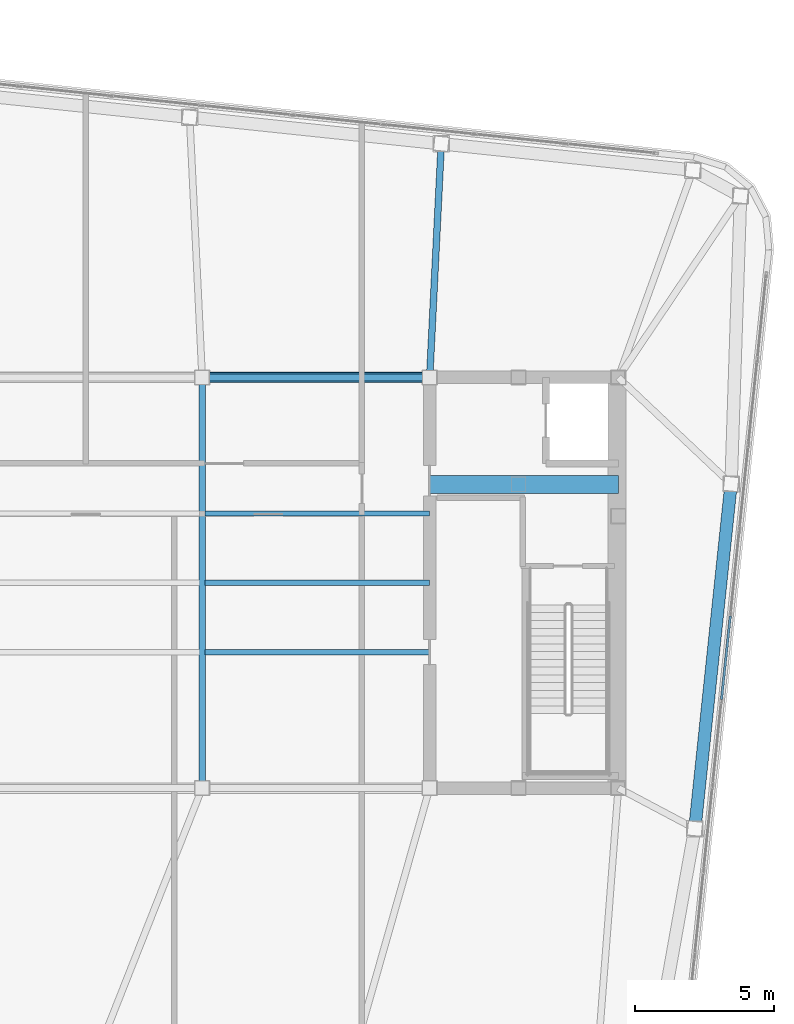
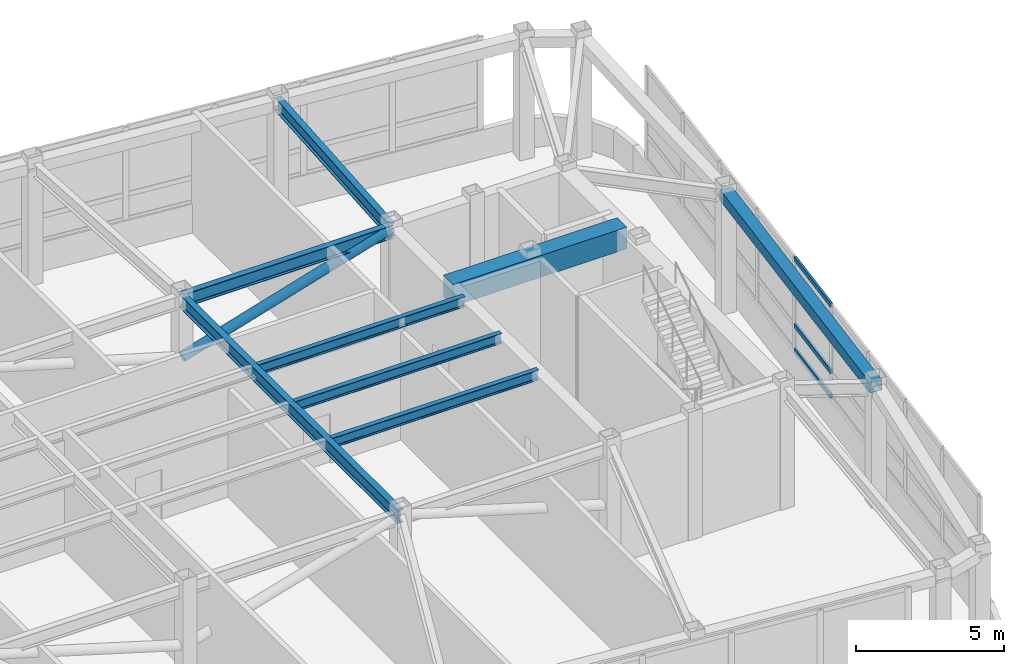
# One storey, part 12 of 23: 8 beams, 4 members, 1 element without a shape of its own.
"""IFC4 building model written with IfcOpenShell, lengths in metres."""

from ifc_helpers import new_model, si_unit, direction, frame, origin, origin_2d, place, context, subcontext, project, spatial, rectangle, hollow_rectangle, hollow_circle, i_section, extrude, material, layer, layer_set, material_profile, profile_set, type_object, element, aggregate, save


model = new_model("IFC4")

# Units and contexts
model_context = context("Model", 3, precision=1e-05, world=origin(), true_north=direction((0.0, 1.0)))
body_context = subcontext(model_context, "Body", "Model", "MODEL_VIEW")
ifc_project = project(units=[si_unit("LENGTHUNIT", "METRE"), si_unit("AREAUNIT", "SQUARE_METRE"), si_unit("VOLUMEUNIT", "CUBIC_METRE"), si_unit("PLANEANGLEUNIT", "RADIAN"), si_unit("MASSUNIT", "GRAM", prefix="KILO")], contexts=[model_context])

# Site, building, storey
site_placement = place(None, origin())
site = spatial("IfcSite", under=ifc_project, at=site_placement, CompositionType="ELEMENT")
building_placement = place(site_placement, origin())
building = spatial("IfcBuilding", under=site, at=building_placement, Name="Voryun Gate Residences", CompositionType="ELEMENT")
storey_placement = place(building_placement, frame((0.0, 0.0, 331.89990234375)))
storey = spatial("IfcBuildingStorey", under=building, at=storey_placement, Name="L81", CompositionType="ELEMENT", Elevation=331.89990234375)

# Beams
ifc_material_1 = material(Name="Concrete C60/75", Category="concrete")
ifc_material_profile_1 = material_profile(ifc_material_1, rectangle(XDim=0.64990234375, YDim=0.89990234375, at=origin_2d()), Name="RC-650x900")
ifc_profile_set_1 = profile_set([ifc_material_profile_1], Name="Concrete C60/75")
beam_type_1 = type_object("IfcBeamType", Name="BM_COUP_RC900", PredefinedType="LINTEL", material=ifc_profile_set_1)
beam_1_placement = place(storey_placement, frame((12.39990234375, 3.550048828125, 4.5751953125), z_axis=(1.0, 0.0, 0.0), x_axis=(0.0, 1.0, 0.0)))
element("IfcBeam", 1, at=beam_1_placement, inside=storey, type_object=beam_type_1, Name="BM-L81-EC1", PredefinedType="LINTEL", context=body_context, shape_type="SweptSolid", body=[
    extrude(rectangle(XDim=0.64990234375, YDim=0.89990234375, at=origin_2d()), origin(), (0.0, 0.0, 1.0), 6.800048828125),
])
ifc_material_2 = material(Name="Steel SM355", Category="steel")
ifc_material_profile_2 = material_profile(ifc_material_2, hollow_rectangle(XDim=0.449951171875, YDim=0.449951171875, WallThickness=0.01806640625, at=origin_2d()), Name="BOX-450x450x18")
ifc_profile_set_2 = profile_set([ifc_material_profile_2], Name="Steel SM355")
beam_type_2 = type_object("IfcBeamType", Name="BM_CROWN_RING", PredefinedType="BEAM", material=ifc_profile_set_2)
beam_2_placement = place(storey_placement, frame((21.958251953125, -8.861572265625, 4.800048828125), z_axis=(0.104519973049, 0.99452278769, 0.0), x_axis=(-0.99452278769, 0.104519973049, 0.0)))
element("IfcBeam", 2, at=beam_2_placement, inside=storey, type_object=beam_type_2, Name="BM-L81-SPAND-08", PredefinedType="BEAM", context=body_context, shape_type="SweptSolid", body=[
    extrude(hollow_rectangle(XDim=0.449951171875, YDim=0.449951171875, WallThickness=0.01806640625, at=origin_2d()), origin(), (0.0, 0.0, 1.0), 12.491943359375),
])
ifc_material_3 = material(Name="Steel SM355", Category="steel")
ifc_material_profile_3 = material_profile(ifc_material_3, i_section(OverallWidth=0.239990234375, OverallDepth=0.550048828125, WebThickness=0.011962890625, FlangeThickness=0.02001953125, FilletRadius=0.01806640625, at=origin_2d()), Name="H-550x240x12x20")
ifc_profile_set_3 = profile_set([ifc_material_profile_3], Name="Steel SM355")
beam_type_3 = type_object("IfcBeamType", Name="BM_GIRD_550", PredefinedType="USERDEFINED", material=ifc_profile_set_3)
beam_3_placement = place(storey_placement, frame((4.199951171875, 7.39990234375, 4.75), z_axis=(1.0, 0.0, 0.0), x_axis=(0.0, 1.0, 0.0)))
element("IfcBeam", 3, at=beam_3_placement, inside=storey, type_object=beam_type_3, Name="BM-L81-SPG3-N", ObjectType="GIRDER", PredefinedType="USERDEFINED", context=body_context, shape_type="SweptSolid", body=[
    extrude(i_section(OverallWidth=0.239990234375, OverallDepth=0.550048828125, WebThickness=0.011962890625, FlangeThickness=0.02001953125, FilletRadius=0.01806640625, at=origin_2d()), origin(), (0.0, 0.0, 1.0), 8.199951171875),
])
beam_4_placement = place(storey_placement, frame((4.199951171875, -7.39990234375, 4.75), z_axis=(0.0, 1.0, 0.0), x_axis=(-1.0, 0.0, 0.0)))
element("IfcBeam", 4, at=beam_4_placement, inside=storey, type_object=beam_type_3, Name="BM-L81-SPX-E", ObjectType="GIRDER", PredefinedType="USERDEFINED", context=body_context, shape_type="SweptSolid", body=[
    extrude(i_section(OverallWidth=0.239990234375, OverallDepth=0.550048828125, WebThickness=0.011962890625, FlangeThickness=0.02001953125, FilletRadius=0.01806640625, at=origin_2d()), origin(), (0.0, 0.0, 1.0), 14.7998046875),
])
beam_5_placement = place(storey_placement, frame((12.39990234375, 7.39990234375, 4.75), z_axis=(0.049635922604, 0.998767377915, 0.0), x_axis=(-0.998767377915, 0.049635922604, 0.0)))
element("IfcBeam", 5, at=beam_5_placement, inside=storey, type_object=beam_type_3, Name="BM-L81-RAD-N2", ObjectType="GIRDER", PredefinedType="USERDEFINED", context=body_context, shape_type="SweptSolid", body=[
    extrude(i_section(OverallWidth=0.239990234375, OverallDepth=0.550048828125, WebThickness=0.011962890625, FlangeThickness=0.02001953125, FilletRadius=0.01806640625, at=origin_2d()), origin(), (0.0, 0.0, 1.0), 8.435546875),
])
ifc_material_4 = material(Name="Steel SM355", Category="steel")
ifc_material_profile_4 = material_profile(ifc_material_4, i_section(OverallWidth=0.18994140625, OverallDepth=0.419921875, WebThickness=0.009033203125, FlangeThickness=0.01611328125, FilletRadius=0.01806640625, at=origin_2d()), Name="H-420x190x9x16")
ifc_profile_set_4 = profile_set([ifc_material_profile_4], Name="Steel SM355")
beam_type_4 = type_object("IfcBeamType", Name="BM_SEC_420", PredefinedType="BEAM", material=ifc_profile_set_4)
for number, where, z_axis, x_axis, name in (
    (6, (4.300048828125, -2.5, 4.815185546875), (1.0, 0.0, 0.0), (0.0, 1.0, 0.0), "BM-L81-SEC-CS3"),
    (7, (4.300048828125, 0.0, 4.815185546875), (1.0, 0.0, 0.0), (0.0, 1.0, 0.0), "BM-L81-SEC-CM3"),
    (8, (4.300048828125, 2.5, 4.815185546875), (1.0, 0.0, 0.0), (0.0, 1.0, 0.0), "BM-L81-SEC-CN3"),
):
    element("IfcBeam", number, at=place(storey_placement, frame(where, z_axis=z_axis, x_axis=x_axis)), inside=storey, type_object=beam_type_4, Name=name, PredefinedType="BEAM", context=body_context, shape_type="SweptSolid", body=[
        extrude(i_section(OverallWidth=0.18994140625, OverallDepth=0.419921875, WebThickness=0.009033203125, FlangeThickness=0.01611328125, FilletRadius=0.01806640625, at=origin_2d()), origin(), (0.0, 0.0, 1.0), 8.099853515625),
    ])

# Curtain wall, members
ifc_material_5 = material(Name="Anodised aluminium", Category="aluminium")
ifc_layer = layer(ifc_material_5, 0.22998046875, Name="CW_SYS_LANTERN_DARK_GLASS")
ifc_layer_set = layer_set([ifc_layer], Name="Anodised aluminium")
curtain_wall_type = type_object("IfcCurtainWallType", Name="CW_SYS_LANTERN_DARK_GLASS", PredefinedType="NOTDEFINED", material=ifc_layer_set)
curtain_wall_placement = place(storey_placement, origin())
curtain_wall = element("IfcCurtainWall", 9, at=curtain_wall_placement, inside=storey, type_object=curtain_wall_type, Name="Curtain wall CW6-L81-16", PredefinedType="NOTDEFINED")
ifc_material_6 = material(Name="Anodised aluminium", Category="aluminium")
ifc_material_profile_5 = material_profile(ifc_material_6, hollow_rectangle(XDim=0.0849609375, YDim=0.18994140625, WallThickness=0.006103515625, at=origin_2d()), Name="ALU-TRAN-190x85x6")
ifc_profile_set_5 = profile_set([ifc_material_profile_5], Name="Anodised aluminium")
member_type_1 = type_object("IfcMemberType", Name="CW_TRAN_LANT", PredefinedType="USERDEFINED", material=ifc_profile_set_5)
member_1_placement = place(storey_placement, frame((23.23681640625, -1.193359375, 1.22021484375), z_axis=(-0.104500100479, -0.994524876009, 0.0), x_axis=(0.994524876009, -0.104500100479, 0.0)))
member_1 = element("IfcMember", 10, at=member_1_placement, type_object=member_type_1, Name="CW6 transom 5.1", ObjectType="TRANSOM", PredefinedType="USERDEFINED", context=body_context, shape_type="SweptSolid", body=[
    extrude(hollow_rectangle(XDim=0.0849609375, YDim=0.18994140625, WallThickness=0.006103515625, at=origin_2d()), origin(), (0.0, 0.0, 1.0), 3.02783203125),
])
member_2_placement = place(storey_placement, frame((23.23681640625, -1.193359375, 2.239990234375), z_axis=(-0.104500100479, -0.994524876009, 0.0), x_axis=(0.994524876009, -0.104500100479, 0.0)))
member_2 = element("IfcMember", 11, at=member_2_placement, type_object=member_type_1, Name="CW6 transom 5.2", ObjectType="TRANSOM", PredefinedType="USERDEFINED", context=body_context, shape_type="SweptSolid", body=[
    extrude(hollow_rectangle(XDim=0.0849609375, YDim=0.18994140625, WallThickness=0.006103515625, at=origin_2d()), origin(), (0.0, 0.0, 1.0), 3.02783203125),
])
member_3_placement = place(storey_placement, frame((23.23681640625, -1.193359375, 4.9951171875), z_axis=(-0.104500100479, -0.994524876009, 0.0), x_axis=(0.994524876009, -0.104500100479, 0.0)))
member_3 = element("IfcMember", 12, at=member_3_placement, type_object=member_type_1, Name="CW6 transom 5.3", ObjectType="TRANSOM", PredefinedType="USERDEFINED", context=body_context, shape_type="SweptSolid", body=[
    extrude(hollow_rectangle(XDim=0.0849609375, YDim=0.18994140625, WallThickness=0.006103515625, at=origin_2d()), origin(), (0.0, 0.0, 1.0), 3.02783203125),
])
aggregate(curtain_wall, [member_1, member_2, member_3])

# Member
ifc_material_7 = material(Name="Steel SM355", Category="steel")
ifc_material_profile_6 = material_profile(ifc_material_7, hollow_circle(Radius=0.18994140625, WallThickness=0.01806640625, at=origin_2d()), Name="CHS-380x18")
ifc_profile_set_6 = profile_set([ifc_material_profile_6], Name="Steel SM355")
member_type_2 = type_object("IfcMemberType", Name="MBR_CROWN_DIAGRID", PredefinedType="BRACE", material=ifc_profile_set_6)
member_4_placement = place(storey_placement, frame((4.199951171875, 7.39990234375, 2.380126953125), z_axis=(0.957662114733, 0.0, 0.287894553621), x_axis=(0.0, 1.0, 0.0)))
element("IfcMember", 13, at=member_4_placement, inside=storey, type_object=member_type_2, Name="L81 Lantern Spine Diagrid Brace 06", PredefinedType="BRACE", context=body_context, shape_type="SweptSolid", body=[
    extrude(hollow_circle(Radius=0.18994140625, WallThickness=0.01806640625, at=origin_2d()), origin(), (0.0, 0.0, 1.0), 8.5625),
])

save(model, "model.ifc")
